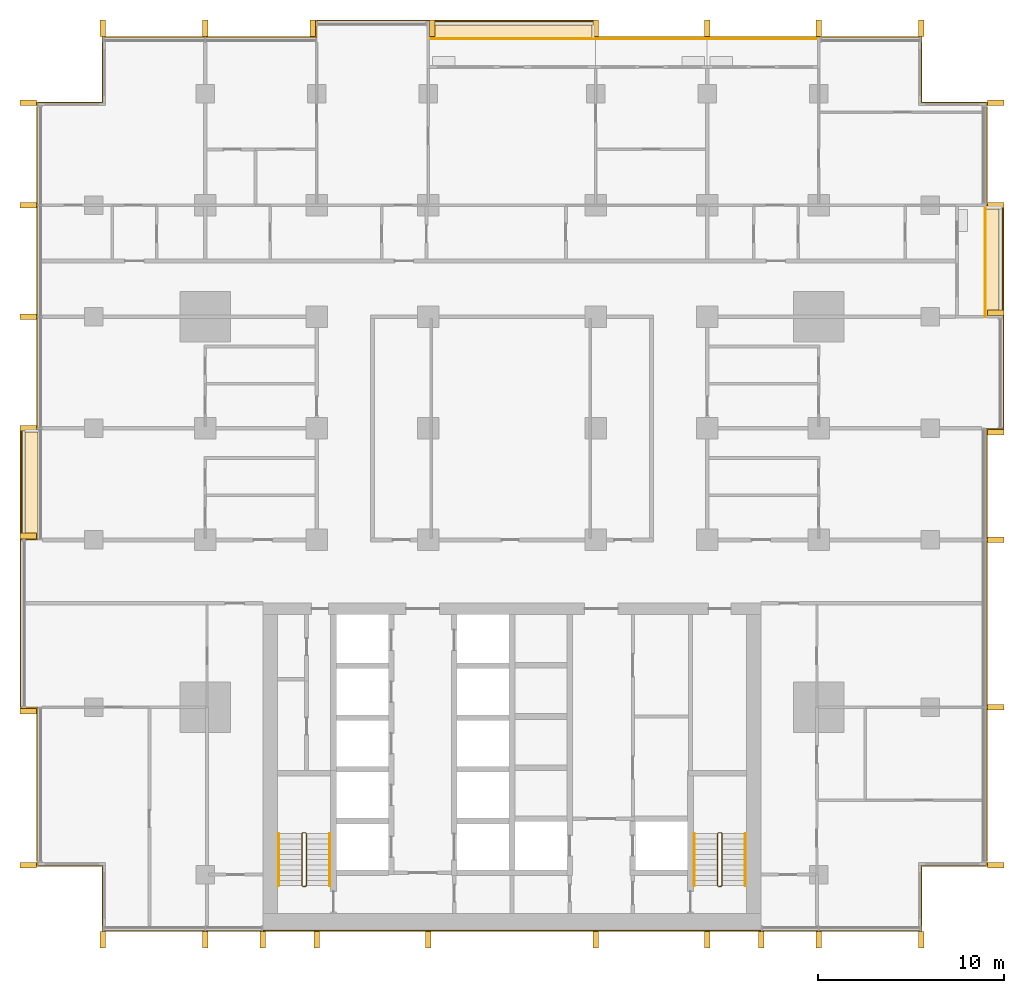
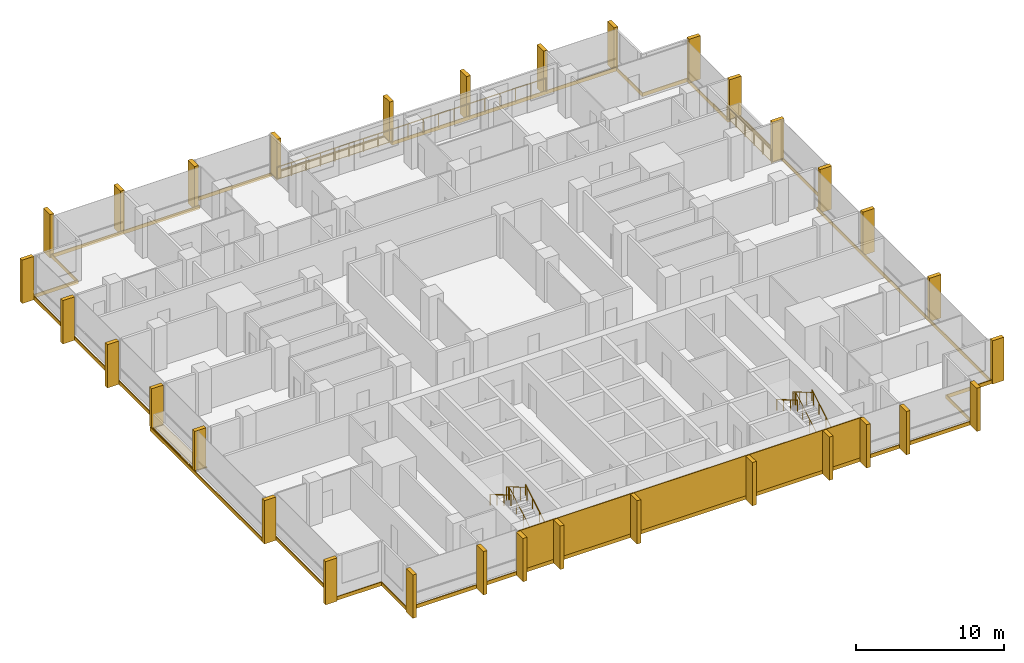
# One storey, part 17 of 17: 32 shading devices, 10 coverings, 10 railings.
"""IFC4 building model written with IfcOpenShell, lengths in metres."""

from ifc_helpers import new_model, si_unit, direction, frame, origin, origin_2d, place, context, subcontext, project, spatial, polyline, rectangle, circle, outline, extrude, material, layer, layer_set, type_object, element, save


model = new_model("IFC4")

# Units and contexts
model_context = context("Model", 3, precision=1e-05, world=origin(), true_north=direction((0.0, 1.0)))
body_context = subcontext(model_context, "Body", "Model", "MODEL_VIEW")
ifc_project = project(units=[si_unit("LENGTHUNIT", "METRE"), si_unit("AREAUNIT", "SQUARE_METRE"), si_unit("VOLUMEUNIT", "CUBIC_METRE"), si_unit("PLANEANGLEUNIT", "RADIAN"), si_unit("MASSUNIT", "GRAM", prefix="KILO")], contexts=[model_context])

# Site, building, storey
site_placement = place(None, origin())
site = spatial("IfcSite", under=ifc_project, at=site_placement, CompositionType="ELEMENT")
building_placement = place(site_placement, origin())
building = spatial("IfcBuilding", under=site, at=building_placement, Name="Finial Court Residences", CompositionType="ELEMENT")
storey_placement = place(building_placement, frame((0.0, 0.0, 124.300048828125)))
storey = spatial("IfcBuildingStorey", under=building, at=storey_placement, Name="L31", CompositionType="ELEMENT", Elevation=124.300048828125)

# Railings
ifc_material_1 = material(Name="Bronze anodised aluminium", Category="aluminium")
railing_type_1 = type_object("IfcRailingType", Name="Balcony guard 1100", PredefinedType="GUARDRAIL", material=ifc_material_1)
railing_1_placement = place(storey_placement, frame((-4.5, 22.449951171875, 0.0)))
element("IfcRailing", 1, at=railing_1_placement, inside=storey, type_object=railing_type_1, Name="E-L31-BALN4-R", PredefinedType="GUARDRAIL", context=body_context, shape_type="SweptSolid", body=[
    extrude(circle(Radius=0.02392578125, at=origin_2d()), frame((0.0, 0.0, 1.076171875), z_axis=(1.0, 0.0, 0.0), x_axis=(0.0, 1.0, 0.0)), (0.0, 0.0, 1.0), 9.0),
    extrude(circle(Radius=0.02099609375, at=origin_2d()), origin(), (0.0, 0.0, 1.0), 1.052001953125),
    extrude(circle(Radius=0.02099609375, at=origin_2d()), frame((1.125, 0.0, 0.0)), (0.0, 0.0, 1.0), 1.052001953125),
    extrude(circle(Radius=0.02099609375, at=origin_2d()), frame((2.25, 0.0, 0.0)), (0.0, 0.0, 1.0), 1.052001953125),
    extrude(circle(Radius=0.02099609375, at=origin_2d()), frame((3.375, 0.0, 0.0)), (0.0, 0.0, 1.0), 1.052001953125),
    extrude(circle(Radius=0.02099609375, at=origin_2d()), frame((4.5, 0.0, 0.0)), (0.0, 0.0, 1.0), 1.052001953125),
    extrude(circle(Radius=0.02099609375, at=origin_2d()), frame((5.625, 0.0, 0.0)), (0.0, 0.0, 1.0), 1.052001953125),
    extrude(circle(Radius=0.02099609375, at=origin_2d()), frame((6.75, 0.0, 0.0)), (0.0, 0.0, 1.0), 1.052001953125),
    extrude(circle(Radius=0.02099609375, at=origin_2d()), frame((7.875, 0.0, 0.0)), (0.0, 0.0, 1.0), 1.052001953125),
    extrude(circle(Radius=0.02099609375, at=origin_2d()), frame((9.0, 0.0, 0.0)), (0.0, 0.0, 1.0), 1.052001953125),
])
for number, where, name in (
    (2, (4.5, 22.449951171875, 0.0), "E-L31-BALN5-R"),
    (3, (10.5, 22.449951171875, 0.0), "E-L31-BALN6-R"),
):
    element("IfcRailing", number, at=place(storey_placement, frame(where)), inside=storey, type_object=railing_type_1, Name=name, PredefinedType="GUARDRAIL", context=body_context, shape_type="SweptSolid", body=[
        extrude(circle(Radius=0.02392578125, at=origin_2d()), frame((0.0, 0.0, 1.076171875), z_axis=(1.0, 0.0, 0.0), x_axis=(0.0, 1.0, 0.0)), (0.0, 0.0, 1.0), 6.0),
        extrude(circle(Radius=0.02099609375, at=origin_2d()), origin(), (0.0, 0.0, 1.0), 1.052001953125),
        extrude(circle(Radius=0.02099609375, at=origin_2d()), frame((1.199951171875, 0.0, 0.0)), (0.0, 0.0, 1.0), 1.052001953125),
        extrude(circle(Radius=0.02099609375, at=origin_2d()), frame((2.39990234375, 0.0, 0.0)), (0.0, 0.0, 1.0), 1.052001953125),
        extrude(circle(Radius=0.02099609375, at=origin_2d()), frame((3.60009765625, 0.0, 0.0)), (0.0, 0.0, 1.0), 1.052001953125),
        extrude(circle(Radius=0.02099609375, at=origin_2d()), frame((4.800048828125, 0.0, 0.0)), (0.0, 0.0, 1.0), 1.052001953125),
        extrude(circle(Radius=0.02099609375, at=origin_2d()), frame((6.0, 0.0, 0.0)), (0.0, 0.0, 1.0), 1.052001953125),
    ])
railing_2_placement = place(storey_placement, frame((25.449951171875, 7.5, 0.0)))
element("IfcRailing", 4, at=railing_2_placement, inside=storey, type_object=railing_type_1, Name="E-L31-BALE5-R", PredefinedType="GUARDRAIL", context=body_context, shape_type="SweptSolid", body=[
    extrude(circle(Radius=0.02392578125, at=origin_2d()), frame((0.0, 0.0, 1.076171875), z_axis=(0.0, 1.0, 0.0), x_axis=(-1.0, 0.0, 0.0)), (0.0, 0.0, 1.0), 6.0),
    extrude(circle(Radius=0.02099609375, at=origin_2d()), origin(), (0.0, 0.0, 1.0), 1.052001953125),
    extrude(circle(Radius=0.02099609375, at=origin_2d()), frame((0.0, 1.199951171875, 0.0)), (0.0, 0.0, 1.0), 1.052001953125),
    extrude(circle(Radius=0.02099609375, at=origin_2d()), frame((0.0, 2.39990234375, 0.0)), (0.0, 0.0, 1.0), 1.052001953125),
    extrude(circle(Radius=0.02099609375, at=origin_2d()), frame((0.0, 3.60009765625, 0.0)), (0.0, 0.0, 1.0), 1.052001953125),
    extrude(circle(Radius=0.02099609375, at=origin_2d()), frame((0.0, 4.800048828125, 0.0)), (0.0, 0.0, 1.0), 1.052001953125),
    extrude(circle(Radius=0.02099609375, at=origin_2d()), frame((0.0, 6.0, 0.0)), (0.0, 0.0, 1.0), 1.052001953125),
])

# Coverings
ifc_material_2 = material(Name="Natural limestone", Category="masonry")
ifc_layer_1 = layer(ifc_material_2, 0.06005859375)
ifc_layer_set_1 = layer_set([ifc_layer_1], Name="Limestone cladding to the blind core face 60")
covering_type_1 = type_object("IfcCoveringType", Name="Limestone cladding to the blind core face 60", PredefinedType="CLADDING", material=ifc_layer_set_1)
covering_1_placement = place(storey_placement, origin())
element("IfcCovering", 5, at=covering_1_placement, inside=storey, type_object=covering_type_1, Name="E-L31-CLAD1", PredefinedType="CLADDING", context=body_context, shape_type="SweptSolid", body=[
    extrude(outline(polyline([(-10.5, -25.56005859375), (-10.5, -25.5), (-13.39990234375, -25.5), (-13.39990234375, -25.56005859375), (-10.5, -25.56005859375)])), origin(), (0.0, 0.0, 1.0), 3.300048828125),
])
covering_2_placement = place(storey_placement, origin())
element("IfcCovering", 6, at=covering_2_placement, inside=storey, type_object=covering_type_1, Name="E-L31-CLAD2", PredefinedType="CLADDING", context=body_context, shape_type="SweptSolid", body=[
    extrude(outline(polyline([(-4.5, -25.56005859375), (-4.5, -25.5), (-10.5, -25.5), (-10.5, -25.56005859375), (-4.5, -25.56005859375)])), origin(), (0.0, 0.0, 1.0), 3.300048828125),
])
covering_3_placement = place(storey_placement, origin())
element("IfcCovering", 7, at=covering_3_placement, inside=storey, type_object=covering_type_1, Name="E-L31-CLAD3", PredefinedType="CLADDING", context=body_context, shape_type="SweptSolid", body=[
    extrude(outline(polyline([(4.5, -25.56005859375), (4.5, -25.5), (-4.5, -25.5), (-4.5, -25.56005859375), (4.5, -25.56005859375)])), origin(), (0.0, 0.0, 1.0), 3.300048828125),
])
covering_4_placement = place(storey_placement, origin())
element("IfcCovering", 8, at=covering_4_placement, inside=storey, type_object=covering_type_1, Name="E-L31-CLAD4", PredefinedType="CLADDING", context=body_context, shape_type="SweptSolid", body=[
    extrude(outline(polyline([(10.5, -25.56005859375), (10.5, -25.5), (4.5, -25.5), (4.5, -25.56005859375), (10.5, -25.56005859375)])), origin(), (0.0, 0.0, 1.0), 3.300048828125),
])
covering_5_placement = place(storey_placement, origin())
element("IfcCovering", 9, at=covering_5_placement, inside=storey, type_object=covering_type_1, Name="E-L31-CLAD5", PredefinedType="CLADDING", context=body_context, shape_type="SweptSolid", body=[
    extrude(outline(polyline([(13.39990234375, -25.56005859375), (13.39990234375, -25.5), (10.5, -25.5), (10.5, -25.56005859375), (13.39990234375, -25.56005859375)])), origin(), (0.0, 0.0, 1.0), 3.300048828125),
])

# Shading devices
shading_device_type = type_object("IfcShadingDeviceType", Name="Limestone fin 300 x 900", PredefinedType="USERDEFINED", material=ifc_material_2)
for number, where, z_axis, x_axis, name in (
    (10, (-22.0, 23.010009765625, -0.300048828125), (0.0, 0.0, 1.0), (1.0, 0.0, 0.0), "E-L31-FIN-N1"),
    (11, (-16.5, 23.010009765625, -0.300048828125), (0.0, 0.0, 1.0), (1.0, 0.0, 0.0), "E-L31-FIN-N2"),
    (12, (-10.7099609375, 23.010009765625, -0.300048828125), (0.0, 0.0, 1.0), (1.0, 0.0, 0.0), "E-L31-FIN-N3"),
):
    element("IfcShadingDevice", number, at=place(storey_placement, frame(where, z_axis=z_axis, x_axis=x_axis)), inside=storey, type_object=shading_device_type, Name=name, ObjectType="FIN", PredefinedType="USERDEFINED", context=body_context, shape_type="SweptSolid", body=[
        extrude(rectangle(XDim=0.300048828125, YDim=0.89990234375, at=origin_2d()), origin(), (0.0, 0.0, 1.0), 3.580078125),
    ])
for number, where, z_axis, x_axis, name in (
    (13, (-4.2900390625, 23.010009765625, 0.0400390625), (0.0, 0.0, 1.0), (1.0, 0.0, 0.0), "E-L31-FIN-N4"),
    (14, (4.5, 23.010009765625, 0.0400390625), (0.0, 0.0, 1.0), (1.0, 0.0, 0.0), "E-L31-FIN-N5"),
):
    element("IfcShadingDevice", number, at=place(storey_placement, frame(where, z_axis=z_axis, x_axis=x_axis)), inside=storey, type_object=shading_device_type, Name=name, ObjectType="FIN", PredefinedType="USERDEFINED", context=body_context, shape_type="SweptSolid", body=[
        extrude(rectangle(XDim=0.300048828125, YDim=0.89990234375, at=origin_2d()), origin(), (0.0, 0.0, 1.0), 3.239990234375),
    ])
for number, where, z_axis, x_axis, name in (
    (15, (10.5, 23.010009765625, -0.300048828125), (0.0, 0.0, 1.0), (1.0, 0.0, 0.0), "E-L31-FIN-N6"),
    (16, (16.5, 23.010009765625, -0.300048828125), (0.0, 0.0, 1.0), (1.0, 0.0, 0.0), "E-L31-FIN-N7"),
    (17, (22.0, 23.010009765625, -0.300048828125), (0.0, 0.0, 1.0), (1.0, 0.0, 0.0), "E-L31-FIN-N8"),
):
    element("IfcShadingDevice", number, at=place(storey_placement, frame(where, z_axis=z_axis, x_axis=x_axis)), inside=storey, type_object=shading_device_type, Name=name, ObjectType="FIN", PredefinedType="USERDEFINED", context=body_context, shape_type="SweptSolid", body=[
        extrude(rectangle(XDim=0.300048828125, YDim=0.89990234375, at=origin_2d()), origin(), (0.0, 0.0, 1.0), 3.580078125),
    ])
for number, where, z_axis, x_axis, name in (
    (18, (26.010009765625, -22.0, -0.300048828125), (0.0, 0.0, 1.0), (1.0, 0.0, 0.0), "E-L31-FIN-E9"),
    (19, (26.010009765625, -13.5, -0.300048828125), (0.0, 0.0, 1.0), (1.0, 0.0, 0.0), "E-L31-FIN-E10"),
    (20, (26.010009765625, -4.5, -0.300048828125), (0.0, 0.0, 1.0), (1.0, 0.0, 0.0), "E-L31-FIN-E11"),
    (21, (26.010009765625, 1.2900390625, -0.300048828125), (0.0, 0.0, 1.0), (1.0, 0.0, 0.0), "E-L31-FIN-E12"),
):
    element("IfcShadingDevice", number, at=place(storey_placement, frame(where, z_axis=z_axis, x_axis=x_axis)), inside=storey, type_object=shading_device_type, Name=name, ObjectType="FIN", PredefinedType="USERDEFINED", context=body_context, shape_type="SweptSolid", body=[
        extrude(rectangle(XDim=0.89990234375, YDim=0.300048828125, at=origin_2d()), origin(), (0.0, 0.0, 1.0), 3.580078125),
    ])
for number, where, z_axis, x_axis, name in (
    (22, (26.010009765625, 7.7099609375, 0.0400390625), (0.0, 0.0, 1.0), (1.0, 0.0, 0.0), "E-L31-FIN-E13"),
    (23, (26.010009765625, 13.5, 0.0400390625), (0.0, 0.0, 1.0), (1.0, 0.0, 0.0), "E-L31-FIN-E14"),
):
    element("IfcShadingDevice", number, at=place(storey_placement, frame(where, z_axis=z_axis, x_axis=x_axis)), inside=storey, type_object=shading_device_type, Name=name, ObjectType="FIN", PredefinedType="USERDEFINED", context=body_context, shape_type="SweptSolid", body=[
        extrude(rectangle(XDim=0.89990234375, YDim=0.300048828125, at=origin_2d()), origin(), (0.0, 0.0, 1.0), 3.239990234375),
    ])
shading_device_placement = place(storey_placement, frame((26.010009765625, 19.0, -0.300048828125), z_axis=(0.0, 0.0, 1.0), x_axis=(1.0, 0.0, 0.0)))
element("IfcShadingDevice", 24, at=shading_device_placement, inside=storey, type_object=shading_device_type, Name="E-L31-FIN-E15", ObjectType="FIN", PredefinedType="USERDEFINED", context=body_context, shape_type="SweptSolid", body=[
    extrude(rectangle(XDim=0.89990234375, YDim=0.300048828125, at=origin_2d()), origin(), (0.0, 0.0, 1.0), 3.580078125),
])
for number, where, z_axis, x_axis, name in (
    (25, (-22.0, -26.010009765625, -0.300048828125), (0.0, 0.0, 1.0), (1.0, 0.0, 0.0), "E-L31-FIN-S16"),
    (26, (-16.5, -26.010009765625, -0.300048828125), (0.0, 0.0, 1.0), (1.0, 0.0, 0.0), "E-L31-FIN-S17"),
    (27, (-13.39990234375, -26.010009765625, -0.300048828125), (0.0, 0.0, 1.0), (1.0, 0.0, 0.0), "E-L31-FIN-S18"),
    (28, (-10.5, -26.010009765625, -0.300048828125), (0.0, 0.0, 1.0), (1.0, 0.0, 0.0), "E-L31-FIN-S19"),
    (29, (-4.5, -26.010009765625, -0.300048828125), (0.0, 0.0, 1.0), (1.0, 0.0, 0.0), "E-L31-FIN-S20"),
    (30, (4.5, -26.010009765625, -0.300048828125), (0.0, 0.0, 1.0), (1.0, 0.0, 0.0), "E-L31-FIN-S21"),
    (31, (10.5, -26.010009765625, -0.300048828125), (0.0, 0.0, 1.0), (1.0, 0.0, 0.0), "E-L31-FIN-S22"),
    (32, (13.39990234375, -26.010009765625, -0.300048828125), (0.0, 0.0, 1.0), (1.0, 0.0, 0.0), "E-L31-FIN-S23"),
    (33, (16.5, -26.010009765625, -0.300048828125), (0.0, 0.0, 1.0), (1.0, 0.0, 0.0), "E-L31-FIN-S24"),
    (34, (22.0, -26.010009765625, -0.300048828125), (0.0, 0.0, 1.0), (1.0, 0.0, 0.0), "E-L31-FIN-S25"),
):
    element("IfcShadingDevice", number, at=place(storey_placement, frame(where, z_axis=z_axis, x_axis=x_axis)), inside=storey, type_object=shading_device_type, Name=name, ObjectType="FIN", PredefinedType="USERDEFINED", context=body_context, shape_type="SweptSolid", body=[
        extrude(rectangle(XDim=0.300048828125, YDim=0.89990234375, at=origin_2d()), origin(), (0.0, 0.0, 1.0), 3.580078125),
    ])
for number, where, z_axis, x_axis, name in (
    (35, (-26.010009765625, -22.0, -0.300048828125), (0.0, 0.0, 1.0), (1.0, 0.0, 0.0), "E-L31-FIN-W26"),
    (36, (-26.010009765625, -13.7099609375, -0.300048828125), (0.0, 0.0, 1.0), (1.0, 0.0, 0.0), "E-L31-FIN-W27"),
):
    element("IfcShadingDevice", number, at=place(storey_placement, frame(where, z_axis=z_axis, x_axis=x_axis)), inside=storey, type_object=shading_device_type, Name=name, ObjectType="FIN", PredefinedType="USERDEFINED", context=body_context, shape_type="SweptSolid", body=[
        extrude(rectangle(XDim=0.89990234375, YDim=0.300048828125, at=origin_2d()), origin(), (0.0, 0.0, 1.0), 3.580078125),
    ])
for number, where, z_axis, x_axis, name in (
    (37, (-26.010009765625, -4.2900390625, 0.0400390625), (0.0, 0.0, 1.0), (1.0, 0.0, 0.0), "E-L31-FIN-W28"),
    (38, (-26.010009765625, 1.5, 0.0400390625), (0.0, 0.0, 1.0), (1.0, 0.0, 0.0), "E-L31-FIN-W29"),
):
    element("IfcShadingDevice", number, at=place(storey_placement, frame(where, z_axis=z_axis, x_axis=x_axis)), inside=storey, type_object=shading_device_type, Name=name, ObjectType="FIN", PredefinedType="USERDEFINED", context=body_context, shape_type="SweptSolid", body=[
        extrude(rectangle(XDim=0.89990234375, YDim=0.300048828125, at=origin_2d()), origin(), (0.0, 0.0, 1.0), 3.239990234375),
    ])
for number, where, z_axis, x_axis, name in (
    (39, (-26.010009765625, 7.5, -0.300048828125), (0.0, 0.0, 1.0), (1.0, 0.0, 0.0), "E-L31-FIN-W30"),
    (40, (-26.010009765625, 13.5, -0.300048828125), (0.0, 0.0, 1.0), (1.0, 0.0, 0.0), "E-L31-FIN-W31"),
    (41, (-26.010009765625, 19.0, -0.300048828125), (0.0, 0.0, 1.0), (1.0, 0.0, 0.0), "E-L31-FIN-W32"),
):
    element("IfcShadingDevice", number, at=place(storey_placement, frame(where, z_axis=z_axis, x_axis=x_axis)), inside=storey, type_object=shading_device_type, Name=name, ObjectType="FIN", PredefinedType="USERDEFINED", context=body_context, shape_type="SweptSolid", body=[
        extrude(rectangle(XDim=0.89990234375, YDim=0.300048828125, at=origin_2d()), origin(), (0.0, 0.0, 1.0), 3.580078125),
    ])

# Coverings
ifc_material_3 = material(Name="Pale limestone", Category="masonry")
ifc_layer_2 = layer(ifc_material_3, 0.06005859375)
ifc_layer_set_2 = layer_set([ifc_layer_2], Name="Pale limestone slab-edge band 60")
covering_type_2 = type_object("IfcCoveringType", Name="Pale limestone slab-edge band 60", PredefinedType="CLADDING", material=ifc_layer_set_2)
covering_6_placement = place(storey_placement, frame((0.0, 0.0, -0.300048828125)))
element("IfcCovering", 42, at=covering_6_placement, inside=storey, type_object=covering_type_2, Name="E-L31-BAND1", PredefinedType="CLADDING", context=body_context, shape_type="SweptSolid", body=[
    extrude(outline(polyline([(-22.06005859375, 22.56005859375), (-10.56005859375, 22.56005859375), (-10.56005859375, 23.4599609375), (4.56005859375, 23.4599609375), (4.56005859375, 22.56005859375), (22.06005859375, 22.56005859375), (22.06005859375, 19.06005859375), (25.56005859375, 19.06005859375), (25.56005859375, 13.56005859375), (26.4599609375, 13.56005859375), (26.4599609375, 1.43994140625), (25.56005859375, 1.43994140625), (25.56005859375, -22.06005859375), (22.06005859375, -22.06005859375), (22.06005859375, -25.56005859375), (-22.06005859375, -25.56005859375), (-22.06005859375, -22.06005859375), (-25.56005859375, -22.06005859375), (-25.56005859375, -13.56005859375), (-26.4599609375, -13.56005859375), (-26.4599609375, 1.56005859375), (-25.56005859375, 1.56005859375), (-25.56005859375, 19.06005859375), (-22.06005859375, 19.06005859375), (-22.06005859375, 22.56005859375)]), holes=[polyline([(-25.5, 19.0), (-25.5, 1.5), (-26.39990234375, 1.5), (-26.39990234375, -4.5), (-26.39990234375, -13.5), (-25.5, -13.5), (-25.5, -22.0), (-22.0, -22.0), (-22.0, -25.5), (22.0, -25.5), (22.0, -22.0), (25.5, -22.0), (25.5, 1.5), (26.39990234375, 1.5), (26.39990234375, 7.5), (26.39990234375, 13.5), (25.5, 13.5), (25.5, 19.0), (22.0, 19.0), (22.0, 22.5), (16.5, 22.5), (10.5, 22.5), (4.5, 22.5), (4.5, 23.39990234375), (-4.5, 23.39990234375), (-10.5, 23.39990234375), (-10.5, 22.5), (-22.0, 22.5), (-22.0, 19.0), (-25.5, 19.0)])]), origin(), (0.0, 0.0, 1.0), 0.300048828125),
])
ifc_material_4 = material(Name="Bitumen membrane")
ifc_layer_3 = layer(ifc_material_4, 0.0400390625)
ifc_layer_set_3 = layer_set([ifc_layer_3], Name="Push box roofing, bitumen membrane 40")
covering_type_3 = type_object("IfcCoveringType", Name="Push box roofing, bitumen membrane 40", PredefinedType="ROOFING", material=ifc_layer_set_3)
covering_7_placement = place(storey_placement, origin())
element("IfcCovering", 43, at=covering_7_placement, inside=storey, type_object=covering_type_3, Name="E-L31-LED1", PredefinedType="ROOFING", context=body_context, shape_type="SweptSolid", body=[
    extrude(outline(polyline([(-4.5, 23.39990234375), (4.5, 23.39990234375), (4.5, 22.5), (-4.5, 22.5), (-4.5, 23.39990234375)]), holes=[polyline([(4.449951171875, 22.510009765625), (4.449951171875, 23.199951171875), (4.449951171875, 23.35009765625), (-4.489990234375, 23.35009765625), (-4.489990234375, 23.199951171875), (4.300048828125, 23.199951171875), (4.300048828125, 22.510009765625), (4.449951171875, 22.510009765625)])]), origin(), (0.0, 0.0, 1.0), 0.0400390625),
])
covering_8_placement = place(storey_placement, origin())
element("IfcCovering", 44, at=covering_8_placement, inside=storey, type_object=covering_type_3, Name="E-L31-LED2", PredefinedType="ROOFING", context=body_context, shape_type="SweptSolid", body=[
    extrude(outline(polyline([(25.5, 13.5), (26.39990234375, 13.5), (26.39990234375, 7.5), (25.5, 7.5), (25.5, 13.5)]), holes=[polyline([(26.35009765625, 7.510009765625), (26.35009765625, 13.300048828125), (26.35009765625, 13.300048828125), (26.35009765625, 13.449951171875), (25.510009765625, 13.449951171875), (25.510009765625, 13.300048828125), (26.199951171875, 13.300048828125), (26.199951171875, 7.510009765625), (26.35009765625, 7.510009765625)])]), origin(), (0.0, 0.0, 1.0), 0.0400390625),
])
covering_9_placement = place(storey_placement, origin())
element("IfcCovering", 45, at=covering_9_placement, inside=storey, type_object=covering_type_3, Name="E-L31-LED3", PredefinedType="ROOFING", context=body_context, shape_type="SweptSolid", body=[
    extrude(outline(polyline([(-25.5, 1.449951171875), (-26.199951171875, 1.449951171875), (-26.35009765625, 1.449951171875), (-26.35009765625, -4.5), (-26.39990234375, -4.5), (-26.39990234375, 1.5), (-25.5, 1.5), (-25.5, 1.449951171875)])), origin(), (0.0, 0.0, 1.0), 0.0400390625),
])
covering_10_placement = place(storey_placement, origin())
element("IfcCovering", 46, at=covering_10_placement, inside=storey, type_object=covering_type_3, Name="E-L31-LED3b", PredefinedType="ROOFING", context=body_context, shape_type="SweptSolid", body=[
    extrude(outline(polyline([(-25.5, -4.5), (-26.199951171875, -4.5), (-26.199951171875, 1.300048828125), (-25.5, 1.300048828125), (-25.5, -4.5)])), origin(), (0.0, 0.0, 1.0), 0.0400390625),
])

# Railings
ifc_material_5 = material(Name="Stainless steel railing", Category="steel")
railing_type_2 = type_object("IfcRailingType", Name="Stair guard 1100", PredefinedType="GUARDRAIL", material=ifc_material_5)
railing_3_placement = place(storey_placement, frame((-11.10009765625, -23.14990234375, 0.0)))
element("IfcRailing", 47, at=railing_3_placement, inside=storey, type_object=railing_type_2, Name="L31 ST-1 stair guard 1", PredefinedType="GUARDRAIL", context=body_context, shape_type="SweptSolid", body=[
    extrude(circle(Radius=0.02392578125, at=origin_2d()), frame((0.0, 0.0, 1.076171875), z_axis=(-1.0, 0.0, 0.0), x_axis=(0.0, -1.0, 0.0)), (0.0, 0.0, 1.0), 0.14990234375),
    extrude(circle(Radius=0.02392578125, at=origin_2d()), frame((-0.14990234375, 0.0, 1.076171875), z_axis=(0.760004195007, 0.189305074214, 0.621737253547), x_axis=(-0.241699205484, 0.970351222016, 0.0)), (0.0, 0.0, 1.0), 0.26318359375),
    extrude(circle(Radius=0.02392578125, at=origin_2d()), frame((0.050048828125, 0.0498046875, 1.23974609375), z_axis=(0.0, 0.863360870873, 0.504586966384), x_axis=(-1.0, 0.0, 0.0)), (0.0, 0.0, 1.0), 3.2431640625),
    extrude(circle(Radius=0.02392578125, at=origin_2d()), frame((0.050048828125, 2.849853515625, 2.8759765625), z_axis=(-0.707106781187, 0.707106781187, 0.0), x_axis=(-0.707106781187, -0.707106781187, 0.0)), (0.0, 0.0, 1.0), 0.07080078125),
    extrude(circle(Radius=0.02392578125, at=origin_2d()), frame((0.0, 2.89990234375, 2.8759765625), z_axis=(-1.0, 0.0, 0.0), x_axis=(0.0, -1.0, 0.0)), (0.0, 0.0, 1.0), 0.14990234375),
    extrude(circle(Radius=0.02392578125, at=origin_2d()), frame((-0.14990234375, 2.89990234375, 2.8759765625), z_axis=(-0.280808744504, -0.280808744504, 0.917765164963), x_axis=(0.707106781187, -0.707106781187, 0.0)), (0.0, 0.0, 1.0), 0.17822265625),
    extrude(circle(Radius=0.02392578125, at=origin_2d()), frame((-0.199951171875, 2.849853515625, 3.03955078125), z_axis=(0.0, -0.863393664356, 0.504530851732), x_axis=(1.0, 0.0, 0.0)), (0.0, 0.0, 1.0), 3.2431640625),
    extrude(circle(Radius=0.02099609375, at=origin_2d()), origin(), (0.0, 0.0, 1.0), 1.052001953125),
    extrude(circle(Radius=0.02099609375, at=origin_2d()), frame((-0.14990234375, 0.0, 0.0)), (0.0, 0.0, 1.0), 1.052001953125),
    extrude(circle(Radius=0.02099609375, at=origin_2d()), frame((0.050048828125, 0.0498046875, 0.16357421875)), (0.0, 0.0, 1.0), 1.052001953125),
    extrude(circle(Radius=0.02099609375, at=origin_2d()), frame((0.050048828125, 0.983154296875, 0.708984375)), (0.0, 0.0, 1.0), 1.052001953125),
    extrude(circle(Radius=0.02099609375, at=origin_2d()), frame((0.050048828125, 1.91650390625, 1.254638671875)), (0.0, 0.0, 1.0), 1.052001953125),
    extrude(circle(Radius=0.02099609375, at=origin_2d()), frame((0.050048828125, 2.849853515625, 1.800048828125)), (0.0, 0.0, 1.0), 1.052001953125),
    extrude(circle(Radius=0.02099609375, at=origin_2d()), frame((0.0, 2.89990234375, 1.800048828125)), (0.0, 0.0, 1.0), 1.052001953125),
    extrude(circle(Radius=0.02099609375, at=origin_2d()), frame((-0.14990234375, 2.89990234375, 1.800048828125)), (0.0, 0.0, 1.0), 1.052001953125),
    extrude(circle(Radius=0.02099609375, at=origin_2d()), frame((-0.199951171875, 2.849853515625, 1.963623046875)), (0.0, 0.0, 1.0), 1.052001953125),
    extrude(circle(Radius=0.02099609375, at=origin_2d()), frame((-0.199951171875, 1.91650390625, 2.509033203125)), (0.0, 0.0, 1.0), 1.052001953125),
    extrude(circle(Radius=0.02099609375, at=origin_2d()), frame((-0.199951171875, 0.983154296875, 3.054443359375)), (0.0, 0.0, 1.0), 1.052001953125),
    extrude(circle(Radius=0.02099609375, at=origin_2d()), frame((-0.199951171875, 0.0498046875, 3.599853515625)), (0.0, 0.0, 1.0), 1.052001953125),
])
railing_4_placement = place(storey_placement, frame((11.25, -23.14990234375, 0.0)))
element("IfcRailing", 48, at=railing_4_placement, inside=storey, type_object=railing_type_2, Name="L31 ST-2 stair guard 1", PredefinedType="GUARDRAIL", context=body_context, shape_type="SweptSolid", body=[
    extrude(circle(Radius=0.02392578125, at=origin_2d()), frame((0.0, 0.0, 1.076171875), z_axis=(-1.0, 0.0, 0.0), x_axis=(0.0, -1.0, 0.0)), (0.0, 0.0, 1.0), 0.14990234375),
    extrude(circle(Radius=0.02392578125, at=origin_2d()), frame((-0.14990234375, 0.0, 1.076171875), z_axis=(0.760004195007, 0.189305074214, 0.621737253547), x_axis=(-0.241699205484, 0.970351222016, 0.0)), (0.0, 0.0, 1.0), 0.26318359375),
    extrude(circle(Radius=0.02392578125, at=origin_2d()), frame((0.050048828125, 0.0498046875, 1.23974609375), z_axis=(0.0, 0.863360870873, 0.504586966384), x_axis=(-1.0, 0.0, 0.0)), (0.0, 0.0, 1.0), 3.2431640625),
    extrude(circle(Radius=0.02392578125, at=origin_2d()), frame((0.050048828125, 2.849853515625, 2.8759765625), z_axis=(-0.707106781187, 0.707106781187, 0.0), x_axis=(-0.707106781187, -0.707106781187, 0.0)), (0.0, 0.0, 1.0), 0.07080078125),
    extrude(circle(Radius=0.02392578125, at=origin_2d()), frame((0.0, 2.89990234375, 2.8759765625), z_axis=(-1.0, 0.0, 0.0), x_axis=(0.0, -1.0, 0.0)), (0.0, 0.0, 1.0), 0.14990234375),
    extrude(circle(Radius=0.02392578125, at=origin_2d()), frame((-0.14990234375, 2.89990234375, 2.8759765625), z_axis=(-0.280808744504, -0.280808744504, 0.917765164963), x_axis=(0.707106781187, -0.707106781187, 0.0)), (0.0, 0.0, 1.0), 0.17822265625),
    extrude(circle(Radius=0.02392578125, at=origin_2d()), frame((-0.199951171875, 2.849853515625, 3.03955078125), z_axis=(0.0, -0.863393664356, 0.504530851732), x_axis=(1.0, 0.0, 0.0)), (0.0, 0.0, 1.0), 3.2431640625),
    extrude(circle(Radius=0.02099609375, at=origin_2d()), origin(), (0.0, 0.0, 1.0), 1.052001953125),
    extrude(circle(Radius=0.02099609375, at=origin_2d()), frame((-0.14990234375, 0.0, 0.0)), (0.0, 0.0, 1.0), 1.052001953125),
    extrude(circle(Radius=0.02099609375, at=origin_2d()), frame((0.050048828125, 0.0498046875, 0.16357421875)), (0.0, 0.0, 1.0), 1.052001953125),
    extrude(circle(Radius=0.02099609375, at=origin_2d()), frame((0.050048828125, 0.983154296875, 0.708984375)), (0.0, 0.0, 1.0), 1.052001953125),
    extrude(circle(Radius=0.02099609375, at=origin_2d()), frame((0.050048828125, 1.91650390625, 1.254638671875)), (0.0, 0.0, 1.0), 1.052001953125),
    extrude(circle(Radius=0.02099609375, at=origin_2d()), frame((0.050048828125, 2.849853515625, 1.800048828125)), (0.0, 0.0, 1.0), 1.052001953125),
    extrude(circle(Radius=0.02099609375, at=origin_2d()), frame((0.0, 2.89990234375, 1.800048828125)), (0.0, 0.0, 1.0), 1.052001953125),
    extrude(circle(Radius=0.02099609375, at=origin_2d()), frame((-0.14990234375, 2.89990234375, 1.800048828125)), (0.0, 0.0, 1.0), 1.052001953125),
    extrude(circle(Radius=0.02099609375, at=origin_2d()), frame((-0.199951171875, 2.849853515625, 1.963623046875)), (0.0, 0.0, 1.0), 1.052001953125),
    extrude(circle(Radius=0.02099609375, at=origin_2d()), frame((-0.199951171875, 1.91650390625, 2.509033203125)), (0.0, 0.0, 1.0), 1.052001953125),
    extrude(circle(Radius=0.02099609375, at=origin_2d()), frame((-0.199951171875, 0.983154296875, 3.054443359375)), (0.0, 0.0, 1.0), 1.052001953125),
    extrude(circle(Radius=0.02099609375, at=origin_2d()), frame((-0.199951171875, 0.0498046875, 3.599853515625)), (0.0, 0.0, 1.0), 1.052001953125),
])
railing_type_3 = type_object("IfcRailingType", Name="Stair handrail 900", PredefinedType="HANDRAIL", material=ifc_material_5)
railing_5_placement = place(storey_placement, frame((-9.800048828125, -23.10009765625, 0.16357421875)))
element("IfcRailing", 49, at=railing_5_placement, inside=storey, type_object=railing_type_3, Name="L31 ST-1 stair handrail 1", PredefinedType="HANDRAIL", context=body_context, shape_type="SweptSolid", body=[
    extrude(circle(Radius=0.02392578125, at=origin_2d()), frame((0.0, 0.0, 0.8759765625), z_axis=(0.0, 0.863360870873, 0.504586966384), x_axis=(-1.0, 0.0, 0.0)), (0.0, 0.0, 1.0), 3.2431640625),
    extrude(circle(Radius=0.02099609375, at=origin_2d()), origin(), (0.0, 0.0, 1.0), 0.851806640625),
    extrude(circle(Radius=0.02099609375, at=origin_2d()), frame((0.0, 0.933349609375, 0.54541015625)), (0.0, 0.0, 1.0), 0.851806640625),
    extrude(circle(Radius=0.02099609375, at=origin_2d()), frame((0.0, 1.86669921875, 1.091064453125)), (0.0, 0.0, 1.0), 0.851806640625),
    extrude(circle(Radius=0.02099609375, at=origin_2d()), frame((0.0, 2.800048828125, 1.636474609375)), (0.0, 0.0, 1.0), 0.851806640625),
])
railing_6_placement = place(storey_placement, frame((-12.550048828125, -20.300048828125, 1.963623046875)))
element("IfcRailing", 50, at=railing_6_placement, inside=storey, type_object=railing_type_3, Name="L31 ST-1 stair handrail 2", PredefinedType="HANDRAIL", context=body_context, shape_type="SweptSolid", body=[
    extrude(circle(Radius=0.02392578125, at=origin_2d()), frame((0.0, 0.0, 0.8759765625), z_axis=(0.0, -0.863393664356, 0.504530851732), x_axis=(1.0, 0.0, 0.0)), (0.0, 0.0, 1.0), 3.2431640625),
    extrude(circle(Radius=0.02099609375, at=origin_2d()), origin(), (0.0, 0.0, 1.0), 0.851806640625),
    extrude(circle(Radius=0.02099609375, at=origin_2d()), frame((0.0, -0.933349609375, 0.54541015625)), (0.0, 0.0, 1.0), 0.851806640625),
    extrude(circle(Radius=0.02099609375, at=origin_2d()), frame((0.0, -1.86669921875, 1.0908203125)), (0.0, 0.0, 1.0), 0.851806640625),
    extrude(circle(Radius=0.02099609375, at=origin_2d()), frame((0.0, -2.800048828125, 1.63623046875)), (0.0, 0.0, 1.0), 0.851806640625),
])
railing_7_placement = place(storey_placement, frame((12.550048828125, -23.10009765625, 0.16357421875)))
element("IfcRailing", 51, at=railing_7_placement, inside=storey, type_object=railing_type_3, Name="L31 ST-2 stair handrail 1", PredefinedType="HANDRAIL", context=body_context, shape_type="SweptSolid", body=[
    extrude(circle(Radius=0.02392578125, at=origin_2d()), frame((0.0, 0.0, 0.8759765625), z_axis=(0.0, 0.863360870873, 0.504586966384), x_axis=(-1.0, 0.0, 0.0)), (0.0, 0.0, 1.0), 3.2431640625),
    extrude(circle(Radius=0.02099609375, at=origin_2d()), origin(), (0.0, 0.0, 1.0), 0.851806640625),
    extrude(circle(Radius=0.02099609375, at=origin_2d()), frame((0.0, 0.933349609375, 0.54541015625)), (0.0, 0.0, 1.0), 0.851806640625),
    extrude(circle(Radius=0.02099609375, at=origin_2d()), frame((0.0, 1.86669921875, 1.091064453125)), (0.0, 0.0, 1.0), 0.851806640625),
    extrude(circle(Radius=0.02099609375, at=origin_2d()), frame((0.0, 2.800048828125, 1.636474609375)), (0.0, 0.0, 1.0), 0.851806640625),
])
railing_8_placement = place(storey_placement, frame((9.800048828125, -20.300048828125, 1.963623046875)))
element("IfcRailing", 52, at=railing_8_placement, inside=storey, type_object=railing_type_3, Name="L31 ST-2 stair handrail 2", PredefinedType="HANDRAIL", context=body_context, shape_type="SweptSolid", body=[
    extrude(circle(Radius=0.02392578125, at=origin_2d()), frame((0.0, 0.0, 0.8759765625), z_axis=(0.0, -0.863393664356, 0.504530851732), x_axis=(1.0, 0.0, 0.0)), (0.0, 0.0, 1.0), 3.2431640625),
    extrude(circle(Radius=0.02099609375, at=origin_2d()), origin(), (0.0, 0.0, 1.0), 0.851806640625),
    extrude(circle(Radius=0.02099609375, at=origin_2d()), frame((0.0, -0.933349609375, 0.54541015625)), (0.0, 0.0, 1.0), 0.851806640625),
    extrude(circle(Radius=0.02099609375, at=origin_2d()), frame((0.0, -1.86669921875, 1.0908203125)), (0.0, 0.0, 1.0), 0.851806640625),
    extrude(circle(Radius=0.02099609375, at=origin_2d()), frame((0.0, -2.800048828125, 1.63623046875)), (0.0, 0.0, 1.0), 0.851806640625),
])

save(model, "model.ifc")
